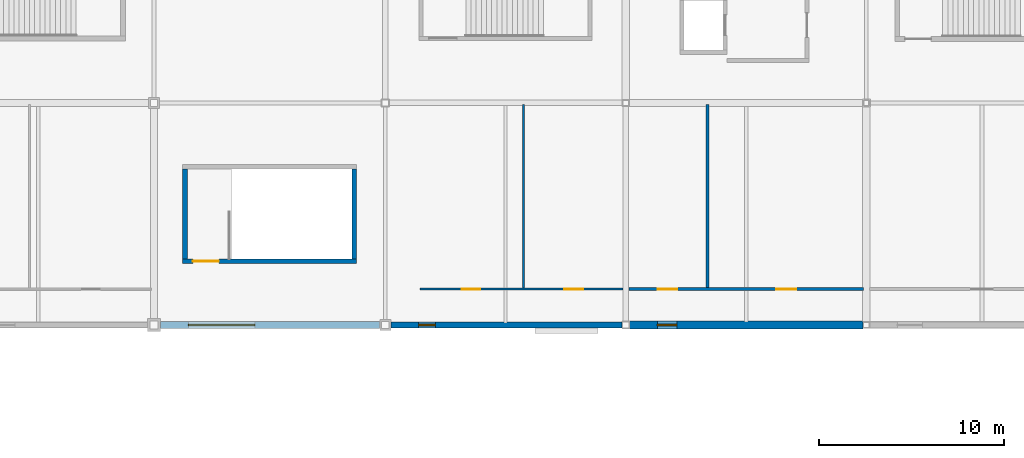
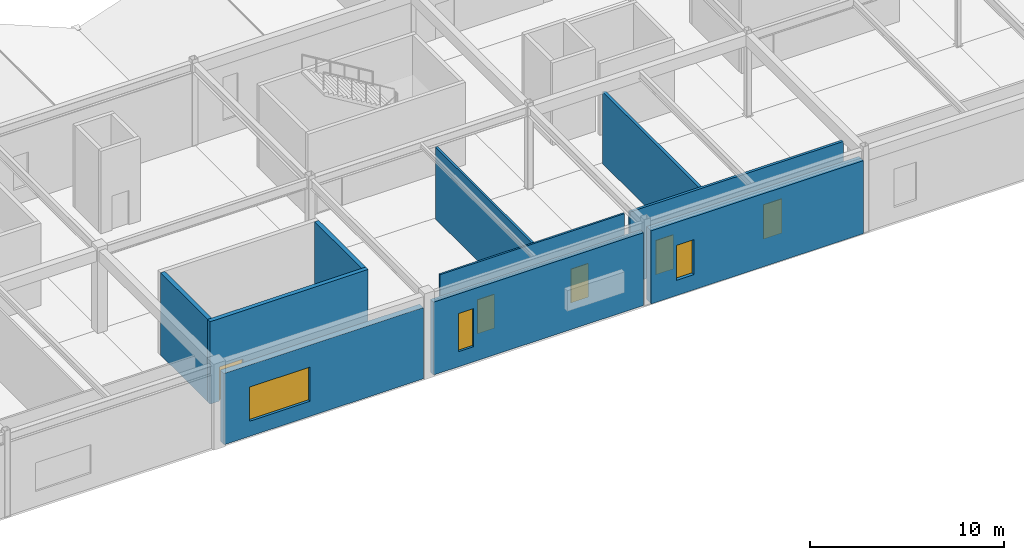
# One storey, part 77 of 105: 10 walls, 5 doors, 3 windows, 8 openings.
"""IFC4 building model written with IfcOpenShell, lengths in metres."""

from ifc_helpers import new_model, si_unit, direction, frame, frame_2d, origin, place, context, subcontext, project, spatial, rectangle, extrude, material, layer, layer_set, type_object, element, fill, save


model = new_model("IFC4")

# Units and contexts
model_context = context("Model", 3, precision=1e-05, world=origin(), true_north=direction((0.0, 1.0)))
body_context = subcontext(model_context, "Body", "Model", "MODEL_VIEW")
ifc_project = project(units=[si_unit("LENGTHUNIT", "METRE"), si_unit("AREAUNIT", "SQUARE_METRE"), si_unit("VOLUMEUNIT", "CUBIC_METRE"), si_unit("PLANEANGLEUNIT", "RADIAN"), si_unit("MASSUNIT", "GRAM", prefix="KILO")], contexts=[model_context])

# Site, building, storey
site_placement = place(None, origin())
site = spatial("IfcSite", under=ifc_project, at=site_placement, CompositionType="ELEMENT")
building_placement = place(site_placement, origin())
building = spatial("IfcBuilding", under=site, at=building_placement, Name="Kazenohara Klinker Stadium", CompositionType="ELEMENT")
storey_placement = place(building_placement, frame((0.0, 0.0, 20.39990234375)))
storey = spatial("IfcBuildingStorey", under=building, at=storey_placement, Name="L04", CompositionType="ELEMENT", Elevation=20.39990234375)

# Wall, opening, door
ifc_material_1 = material(Name="Concrete C40/50", Category="concrete")
ifc_layer_1 = layer(ifc_material_1, 0.25)
ifc_layer_set_1 = layer_set([ifc_layer_1], Name="Concrete C40/50")
wall_type_1 = type_object("IfcWallType", Name="WAL-CORE-250", PredefinedType="SHEAR", material=ifc_layer_set_1)
wall_1_placement = place(storey_placement, frame((88.050048828125, 135.455078125, 0.0), z_axis=(0.0, 0.0, 1.0), x_axis=(1.0, 0.0, 0.0)))
wall_1 = element("IfcWall", 1, at=wall_1_placement, inside=storey, type_object=wall_type_1, Name="Stairwell shear wall ST19 L04 South", PredefinedType="SHEAR", context=body_context, shape_type="SweptSolid", body=[
    extrude(rectangle(XDim=9.39990234375, YDim=0.25, at=frame_2d((4.699951171875, 0.0))), origin(), (0.0, 0.0, 1.0), 5.18017578125),
])
opening_1_placement = place(wall_1_placement, frame((0.550048828125, 0.0, 0.0)))
opening_1 = element("IfcOpeningElement", 2, at=opening_1_placement, cuts=wall_1, Name="Opening SD01", PredefinedType="OPENING", context=body_context, shape_type="SweptSolid", body=[
    extrude(rectangle(XDim=1.39990234375, YDim=2.14990234375, at=frame_2d((0.699951171875, 1.074951171875))), frame((0.0, 0.135009765625, 0.0), z_axis=(0.0, -1.0, 0.0), x_axis=(1.0, 0.0, 0.0)), (0.0, 0.0, 1.0), 0.27001953125),
])
ifc_material_2 = material(Name="Flush painted steel fire door leaf", Category="steel")
door_type_1 = type_object("IfcDoorType", Name="DR-STR-1400x2150", OperationType="NOTDEFINED", PredefinedType="DOOR", material=ifc_material_2)
door_1_placement = place(opening_1_placement, origin())
door_1 = element("IfcDoor", 3, at=door_1_placement, inside=storey, type_object=door_type_1, Name="Escape stairwell fire door ST19-L04", OperationType="SINGLE_SWING_LEFT", OverallHeight=2.14990234375, OverallWidth=1.39990234375, PredefinedType="DOOR", context=body_context, shape_type="SweptSolid", body=[
    extrude(rectangle(XDim=1.39990234375, YDim=2.14990234375, at=frame_2d((0.699951171875, 1.074951171875))), frame((0.0, 0.02490234375, 0.0), z_axis=(0.0, -1.0, 0.0), x_axis=(1.0, 0.0, 0.0)), (0.0, 0.0, 1.0), 0.050048828125),
])
fill(opening_1, door_1)

# Walls
for number, where, z_axis, x_axis, name in (
    (4, (88.175048828125, 135.580078125, 0.0), (0.0, 0.0, 1.0), (0.0, 1.0, 0.0), "Stairwell shear wall ST19 L04 West"),
    (5, (97.324951171875, 135.580078125, 0.0), (0.0, 0.0, 1.0), (0.0, 1.0, 0.0), "Stairwell shear wall ST19 L04 East"),
):
    element("IfcWall", number, at=place(storey_placement, frame(where, z_axis=z_axis, x_axis=x_axis)), inside=storey, type_object=wall_type_1, Name=name, PredefinedType="SHEAR", context=body_context, shape_type="SweptSolid", body=[
        extrude(rectangle(XDim=4.83984375, YDim=0.25, at=frame_2d((2.419921875, 0.0))), origin(), (0.0, 0.0, 1.0), 5.18017578125),
    ])

# Wall, opening, window
ifc_material_3 = material(Name="Clinker brick masonry", Category="masonry")
ifc_layer_2 = layer(ifc_material_3, 0.31005859375)
ifc_layer_set_2 = layer_set([ifc_layer_2], Name="Clinker brick masonry")
wall_type_2 = type_object("IfcWallType", Name="WAL-EXT-CB310", PredefinedType="SOLIDWALL", material=ifc_layer_set_2)
wall_2_placement = place(storey_placement, frame((99.303955078125, 132.0, 0.0), z_axis=(0.0, 0.0, 1.0), x_axis=(1.0, 0.0, 0.0)))
wall_2 = element("IfcWall", 6, at=wall_2_placement, inside=storey, type_object=wall_type_2, Name="Clinker brick cavity wall EW05 L04 X8-11", PredefinedType="SOLIDWALL", context=body_context, shape_type="SweptSolid", body=[
    extrude(rectangle(XDim=12.491943359375, YDim=0.31005859375, at=frame_2d((6.24609375, 0.0))), origin(), (0.0, 0.0, 1.0), 4.580078125),
])
opening_2_placement = place(wall_2_placement, frame((1.5, 0.0, 0.949951171875)))
opening_2 = element("IfcOpeningElement", 7, at=opening_2_placement, cuts=wall_2, Name="Opening W02", PredefinedType="OPENING", context=body_context, shape_type="SweptSolid", body=[
    extrude(rectangle(XDim=0.89990234375, YDim=2.39990234375, at=frame_2d((0.449951171875, 1.199951171875))), frame((0.0, 0.1650390625, 0.0), z_axis=(0.0, -1.0, 0.0), x_axis=(1.0, 0.0, 0.0)), (0.0, 0.0, 1.0), 0.330078125),
])
ifc_material_4 = material(Name="Dark bronze aluminium frame and triple glazing", Category="aluminium")
window_type_1 = type_object("IfcWindowType", Name="WIN-AS-02", PartitioningType="SINGLE_PANEL", PredefinedType="WINDOW", material=ifc_material_4)
window_1_placement = place(opening_2_placement, origin())
window_1 = element("IfcWindow", 8, at=window_1_placement, inside=storey, type_object=window_type_1, Name="Horizontal-mullion ladder window W02 L04 X8-11", OverallHeight=2.39990234375, OverallWidth=0.89990234375, PartitioningType="SINGLE_PANEL", PredefinedType="WINDOW", context=body_context, shape_type="SweptSolid", body=[
    extrude(rectangle(XDim=0.89990234375, YDim=2.39990234375, at=frame_2d((0.449951171875, 1.199951171875))), frame((0.0, 0.030029296875, 0.0), z_axis=(0.0, -1.0, 0.0), x_axis=(1.0, 0.0, 0.0)), (0.0, 0.0, 1.0), 0.06005859375),
])
fill(opening_2, window_1)

ifc_layer_3 = layer(ifc_material_3, 0.3701171875)
ifc_layer_set_3 = layer_set([ifc_layer_3], Name="Clinker brick masonry")
wall_type_3 = type_object("IfcWallType", Name="WAL-EXT-CB370", PredefinedType="SOLIDWALL", material=ifc_layer_set_3)
wall_3_placement = place(storey_placement, frame((86.85400390625, 132.0, 0.0), z_axis=(0.0, 0.0, 1.0), x_axis=(1.0, 0.0, 0.0)))
wall_3 = element("IfcWall", 9, at=wall_3_placement, inside=storey, type_object=wall_type_3, Name="Clinker brick cavity wall EW03 L04 X7-11", PredefinedType="SOLIDWALL", context=body_context, shape_type="SweptSolid", body=[
    extrude(rectangle(XDim=11.842041015625, YDim=0.3701171875, at=frame_2d((5.9208984375, 0.0))), origin(), (0.0, 0.0, 1.0), 4.47998046875),
])
opening_3_placement = place(wall_3_placement, frame((1.5, 0.0, 0.949951171875)))
opening_3 = element("IfcOpeningElement", 10, at=opening_3_placement, cuts=wall_3, Name="Opening W36", PredefinedType="OPENING", context=body_context, shape_type="SweptSolid", body=[
    extrude(rectangle(XDim=3.60009765625, YDim=2.14990234375, at=frame_2d((1.800048828125, 1.074951171875))), frame((0.0, 0.195068359375, 0.0), z_axis=(0.0, -1.0, 0.0), x_axis=(1.0, 0.0, 0.0)), (0.0, 0.0, 1.0), 0.39013671875),
])
window_type_2 = type_object("IfcWindowType", Name="WIN-AS-36", PartitioningType="SINGLE_PANEL", PredefinedType="WINDOW", material=ifc_material_4)
window_2_placement = place(opening_3_placement, origin())
window_2 = element("IfcWindow", 11, at=window_2_placement, inside=storey, type_object=window_type_2, Name="Horizontal-mullion ladder window W36 L04 X7-11", OverallHeight=2.14990234375, OverallWidth=3.60009765625, PartitioningType="SINGLE_PANEL", PredefinedType="WINDOW", context=body_context, shape_type="SweptSolid", body=[
    extrude(rectangle(XDim=3.60009765625, YDim=2.14990234375, at=frame_2d((1.800048828125, 1.074951171875))), frame((0.0, 0.030029296875, 0.0), z_axis=(0.0, -1.0, 0.0), x_axis=(1.0, 0.0, 0.0)), (0.0, 0.0, 1.0), 0.06005859375),
])
fill(opening_3, window_2)

ifc_layer_4 = layer(ifc_material_3, 0.449951171875)
ifc_layer_set_4 = layer_set([ifc_layer_4], Name="Clinker brick masonry")
wall_type_4 = type_object("IfcWallType", Name="WAL-EXT-CB450", PredefinedType="SOLIDWALL", material=ifc_layer_set_4)
wall_4_placement = place(storey_placement, frame((112.2041015625, 132.0, 0.0), z_axis=(0.0, 0.0, 1.0), x_axis=(1.0, 0.0, 0.0)))
wall_4 = element("IfcWall", 12, at=wall_4_placement, inside=storey, type_object=wall_type_4, Name="Clinker brick cavity wall EW01 L04 X9-11", PredefinedType="SOLIDWALL", context=body_context, shape_type="SweptSolid", body=[
    extrude(rectangle(XDim=12.616943359375, YDim=0.449951171875, at=frame_2d((6.30859375, 0.0))), origin(), (0.0, 0.0, 1.0), 4.592041015625),
])
opening_4_placement = place(wall_4_placement, frame((1.5, 0.0, 0.949951171875)))
opening_4 = element("IfcOpeningElement", 13, at=opening_4_placement, cuts=wall_4, Name="Opening W04", PredefinedType="OPENING", context=body_context, shape_type="SweptSolid", body=[
    extrude(rectangle(XDim=1.050048828125, YDim=2.199951171875, at=frame_2d((0.52490234375, 1.10009765625))), frame((0.0, 0.23486328125, 0.0), z_axis=(0.0, -1.0, 0.0), x_axis=(1.0, 0.0, 0.0)), (0.0, 0.0, 1.0), 0.469970703125),
])
window_type_3 = type_object("IfcWindowType", Name="WIN-AS-04", PartitioningType="SINGLE_PANEL", PredefinedType="WINDOW", material=ifc_material_4)
window_3_placement = place(opening_4_placement, origin())
window_3 = element("IfcWindow", 14, at=window_3_placement, inside=storey, type_object=window_type_3, Name="Horizontal-mullion ladder window W04 L04 X9-11", OverallHeight=2.199951171875, OverallWidth=1.050048828125, PartitioningType="SINGLE_PANEL", PredefinedType="WINDOW", context=body_context, shape_type="SweptSolid", body=[
    extrude(rectangle(XDim=1.050048828125, YDim=2.199951171875, at=frame_2d((0.52490234375, 1.10009765625))), frame((0.0, 0.030029296875, 0.0), z_axis=(0.0, -1.0, 0.0), x_axis=(1.0, 0.0, 0.0)), (0.0, 0.0, 1.0), 0.06005859375),
])
fill(opening_4, window_3)

# Wall, openings, doors
ifc_material_5 = material(Name="Fire-rated gypsum board on acoustic studs", Category="gypsum")
ifc_layer_5 = layer(ifc_material_5, 0.110107421875)
ifc_layer_set_5 = layer_set([ifc_layer_5], Name="Fire-rated gypsum board on acoustic studs")
wall_type_5 = type_object("IfcWallType", Name="WAL-INT-P110", PredefinedType="PARTITIONING", material=ifc_layer_set_5)
wall_5_placement = place(storey_placement, frame((100.8701171875, 133.93994140625, 0.0), z_axis=(0.0, 0.0, 1.0), x_axis=(1.0, 0.0, 0.0)))
wall_5 = element("IfcWall", 15, at=wall_5_placement, inside=storey, type_object=wall_type_5, Name="Interior partition wall PT01 SPC-L04-08-11-1-1", PredefinedType="PARTITIONING", context=body_context, shape_type="SweptSolid", body=[
    extrude(rectangle(XDim=10.969970703125, YDim=0.110107421875, at=frame_2d((5.48486328125, 0.0))), origin(), (0.0, 0.0, 1.0), 4.52001953125),
])
opening_5_placement = place(wall_5_placement, frame((2.25732421875, 0.0, 0.0)))
opening_5 = element("IfcOpeningElement", 16, at=opening_5_placement, cuts=wall_5, Name="Opening ID05", PredefinedType="OPENING", context=body_context, shape_type="SweptSolid", body=[
    extrude(rectangle(XDim=1.0, YDim=2.139892578125, at=frame_2d((0.5, 1.06982421875))), frame((0.0, 0.06494140625, 0.0), z_axis=(0.0, -1.0, 0.0), x_axis=(1.0, 0.0, 0.0)), (0.0, 0.0, 1.0), 0.130126953125),
])
opening_6_placement = place(wall_5_placement, frame((7.807373046875, 0.0, 0.0)))
opening_6 = element("IfcOpeningElement", 17, at=opening_6_placement, cuts=wall_5, Name="Opening ID06", PredefinedType="OPENING", context=body_context, shape_type="SweptSolid", body=[
    extrude(rectangle(XDim=1.030029296875, YDim=2.1201171875, at=frame_2d((0.51513671875, 1.06005859375))), frame((0.0, 0.06494140625, 0.0), z_axis=(0.0, -1.0, 0.0), x_axis=(1.0, 0.0, 0.0)), (0.0, 0.0, 1.0), 0.130126953125),
])
ifc_material_6 = material(Name="Solid-core Hokkaido oak fire door", Category="wood")
door_type_2 = type_object("IfcDoorType", Name="DR-INT-05", OperationType="NOTDEFINED", PredefinedType="DOOR", material=ifc_material_6)
door_2_placement = place(opening_5_placement, origin())
door_2 = element("IfcDoor", 18, at=door_2_placement, inside=storey, type_object=door_type_2, Name="Interior door ID05 Championship Trophy Exhibition Gallery L04-0811A", OperationType="SINGLE_SWING_RIGHT", OverallHeight=2.139892578125, OverallWidth=1.0, PredefinedType="DOOR", context=body_context, shape_type="SweptSolid", body=[
    extrude(rectangle(XDim=1.0, YDim=2.139892578125, at=frame_2d((0.5, 1.06982421875))), frame((0.0, 0.02490234375, 0.0), z_axis=(0.0, -1.0, 0.0), x_axis=(1.0, 0.0, 0.0)), (0.0, 0.0, 1.0), 0.050048828125),
])
fill(opening_5, door_2)
door_type_3 = type_object("IfcDoorType", Name="DR-INT-06", OperationType="NOTDEFINED", PredefinedType="DOOR", material=ifc_material_6)
door_3_placement = place(opening_6_placement, origin())
door_3 = element("IfcDoor", 19, at=door_3_placement, inside=storey, type_object=door_type_3, Name="Interior door ID06 Terrace Garden Sky Banquet Hall L04-0811B", OperationType="SINGLE_SWING_LEFT", OverallHeight=2.1201171875, OverallWidth=1.030029296875, PredefinedType="DOOR", context=body_context, shape_type="SweptSolid", body=[
    extrude(rectangle(XDim=1.030029296875, YDim=2.1201171875, at=frame_2d((0.51513671875, 1.06005859375))), frame((0.0, 0.02490234375, 0.0), z_axis=(0.0, -1.0, 0.0), x_axis=(1.0, 0.0, 0.0)), (0.0, 0.0, 1.0), 0.050048828125),
])
fill(opening_6, door_3)

# Wall
ifc_layer_6 = layer(ifc_material_5, 0.1201171875)
ifc_layer_set_6 = layer_set([ifc_layer_6], Name="Fire-rated gypsum board on acoustic studs")
wall_type_6 = type_object("IfcWallType", Name="WAL-INT-P120", PredefinedType="PARTITIONING", material=ifc_layer_set_6)
wall_6_placement = place(storey_placement, frame((106.464599609375, 134.0, 0.0), z_axis=(0.0, 0.0, 1.0), x_axis=(0.0, 1.0, 0.0)))
element("IfcWall", 20, at=wall_6_placement, inside=storey, type_object=wall_type_6, Name="Interior partition wall PT02 SPC-L04-08-11-1-2", PredefinedType="PARTITIONING", context=body_context, shape_type="SweptSolid", body=[
    extrude(rectangle(XDim=9.919921875, YDim=0.1201171875, at=frame_2d((4.9599609375, 0.0))), origin(), (0.0, 0.0, 1.0), 4.52001953125),
])

# Wall, openings, doors
ifc_layer_7 = layer(ifc_material_5, 0.14990234375)
ifc_layer_set_7 = layer_set([ifc_layer_7], Name="Fire-rated gypsum board on acoustic studs")
wall_type_7 = type_object("IfcWallType", Name="WAL-INT-P150", PredefinedType="PARTITIONING", material=ifc_layer_set_7)
wall_7_placement = place(storey_placement, frame((112.159912109375, 133.93994140625, 0.0), z_axis=(0.0, 0.0, 1.0), x_axis=(1.0, 0.0, 0.0)))
wall_7 = element("IfcWall", 21, at=wall_7_placement, inside=storey, type_object=wall_type_7, Name="Interior partition wall PT04 SPC-L04-09-11-1-1", PredefinedType="PARTITIONING", context=body_context, shape_type="SweptSolid", body=[
    extrude(rectangle(XDim=12.68017578125, YDim=0.14990234375, at=frame_2d((6.340087890625, 0.0))), origin(), (0.0, 0.0, 1.0), 4.52001953125),
])
opening_7_placement = place(wall_7_placement, frame((1.560302734375, 0.0, 0.0)))
opening_7 = element("IfcOpeningElement", 22, at=opening_7_placement, cuts=wall_7, Name="Opening ID07", PredefinedType="OPENING", context=body_context, shape_type="SweptSolid", body=[
    extrude(rectangle(XDim=1.06005859375, YDim=2.14990234375, at=frame_2d((0.530029296875, 1.074951171875))), frame((0.0, 0.0849609375, 0.0), z_axis=(0.0, -1.0, 0.0), x_axis=(1.0, 0.0, 0.0)), (0.0, 0.0, 1.0), 0.169921875),
])
opening_8_placement = place(wall_7_placement, frame((7.96533203125, 0.0, 0.0)))
opening_8 = element("IfcOpeningElement", 23, at=opening_8_placement, cuts=wall_7, Name="Opening ID08", PredefinedType="OPENING", context=body_context, shape_type="SweptSolid", body=[
    extrude(rectangle(XDim=1.090087890625, YDim=2.159912109375, at=frame_2d((0.544921875, 1.080078125))), frame((0.0, 0.0849609375, 0.0), z_axis=(0.0, -1.0, 0.0), x_axis=(1.0, 0.0, 0.0)), (0.0, 0.0, 1.0), 0.169921875),
])
door_type_4 = type_object("IfcDoorType", Name="DR-INT-07", OperationType="NOTDEFINED", PredefinedType="DOOR", material=ifc_material_6)
door_4_placement = place(opening_7_placement, origin())
door_4 = element("IfcDoor", 24, at=door_4_placement, inside=storey, type_object=door_type_4, Name="Interior door ID07 Heat-Recovery Air Handling Plant L04-0911A", OperationType="SINGLE_SWING_RIGHT", OverallHeight=2.14990234375, OverallWidth=1.06005859375, PredefinedType="DOOR", context=body_context, shape_type="SweptSolid", body=[
    extrude(rectangle(XDim=1.06005859375, YDim=2.14990234375, at=frame_2d((0.530029296875, 1.074951171875))), frame((0.0, 0.02490234375, 0.0), z_axis=(0.0, -1.0, 0.0), x_axis=(1.0, 0.0, 0.0)), (0.0, 0.0, 1.0), 0.050048828125),
])
fill(opening_7, door_4)
door_type_5 = type_object("IfcDoorType", Name="DR-INT-08", OperationType="NOTDEFINED", PredefinedType="DOOR", material=ifc_material_6)
door_5_placement = place(opening_8_placement, origin())
door_5 = element("IfcDoor", 25, at=door_5_placement, inside=storey, type_object=door_type_5, Name="Interior door ID08 Presidential Reception Hospitality Salon L04-0911B", OperationType="SINGLE_SWING_LEFT", OverallHeight=2.159912109375, OverallWidth=1.090087890625, PredefinedType="DOOR", context=body_context, shape_type="SweptSolid", body=[
    extrude(rectangle(XDim=1.090087890625, YDim=2.159912109375, at=frame_2d((0.544921875, 1.080078125))), frame((0.0, 0.02490234375, 0.0), z_axis=(0.0, -1.0, 0.0), x_axis=(1.0, 0.0, 0.0)), (0.0, 0.0, 1.0), 0.050048828125),
])
fill(opening_8, door_5)

# Wall
ifc_layer_8 = layer(ifc_material_5, 0.169921875)
ifc_layer_set_8 = layer_set([ifc_layer_8], Name="Fire-rated gypsum board on acoustic studs")
wall_type_8 = type_object("IfcWallType", Name="WAL-INT-P170", PredefinedType="PARTITIONING", material=ifc_layer_set_8)
wall_8_placement = place(storey_placement, frame((116.42041015625, 134.02001953125, 0.0), z_axis=(0.0, 0.0, 1.0), x_axis=(0.0, 1.0, 0.0)))
element("IfcWall", 26, at=wall_8_placement, inside=storey, type_object=wall_type_8, Name="Interior partition wall PT05 SPC-L04-09-11-1-2", PredefinedType="PARTITIONING", context=body_context, shape_type="SweptSolid", body=[
    extrude(rectangle(XDim=9.89990234375, YDim=0.169921875, at=frame_2d((4.949951171875, 0.0))), origin(), (0.0, 0.0, 1.0), 4.52001953125),
])

save(model, "model.ifc")
